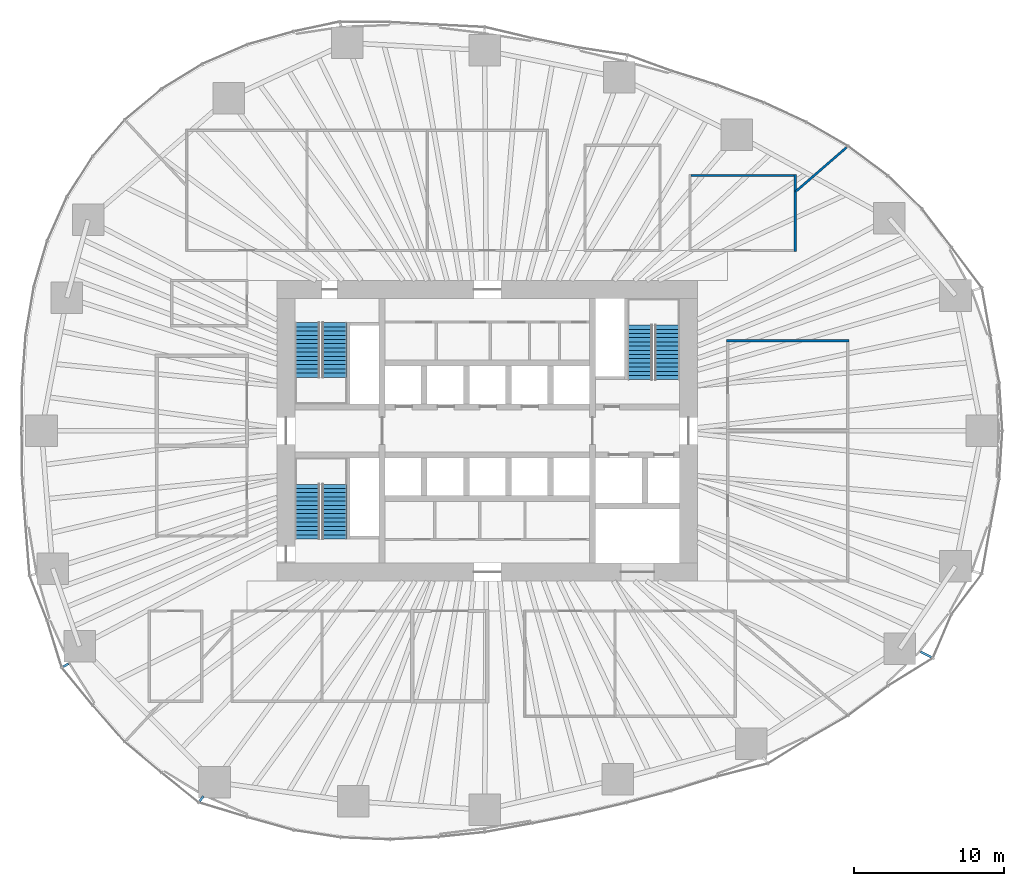
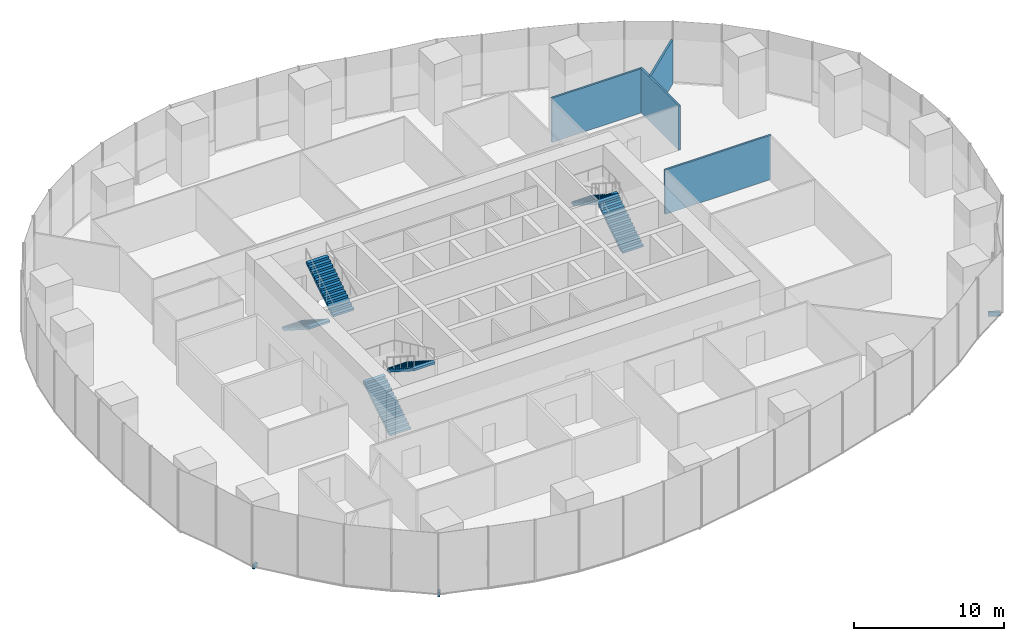
# One storey, part 12 of 20: 6 stair flights, 4 walls, 3 discrete accessories, 3 elements without a shape of their own.
"""IFC4 building model written with IfcOpenShell, lengths in metres."""

from ifc_helpers import new_model, si_unit, direction, frame, frame_2d, origin, origin_2d, place, context, subcontext, project, spatial, polyline, rectangle, outline, extrude, material, layer, layer_set, type_object, element, aggregate, save


model = new_model("IFC4")

# Units and contexts
model_context = context("Model", 3, precision=1e-05, world=origin(), true_north=direction((0.0, 1.0)))
body_context = subcontext(model_context, "Body", "Model", "MODEL_VIEW")
ifc_project = project(units=[si_unit("LENGTHUNIT", "METRE"), si_unit("AREAUNIT", "SQUARE_METRE"), si_unit("VOLUMEUNIT", "CUBIC_METRE"), si_unit("PLANEANGLEUNIT", "RADIAN"), si_unit("MASSUNIT", "GRAM", prefix="KILO")], contexts=[model_context])

# Site, building, storey
site_placement = place(None, origin())
site = spatial("IfcSite", under=ifc_project, at=site_placement, CompositionType="ELEMENT")
building_placement = place(site_placement, origin())
building = spatial("IfcBuilding", under=site, at=building_placement, Name="Ghaith Harvest Tower", CompositionType="ELEMENT")
storey_placement = place(building_placement, frame((0.0, 0.0, 30.0)))
storey = spatial("IfcBuildingStorey", under=building, at=storey_placement, Name="L06", CompositionType="ELEMENT", Elevation=30.0)

# Walls
ifc_material_1 = material(Name="Gypsum board on steel studs", Category="steel")
ifc_layer = layer(ifc_material_1, 0.14990234375)
ifc_layer_set = layer_set([ifc_layer], Name="PARTITION 150")
wall_type = type_object("IfcWallType", Name="PARTITION 150", PredefinedType="PARTITIONING", material=ifc_layer_set)
wall_1_placement = place(storey_placement, frame((15.925048828125, 6.0, 0.0), z_axis=(0.0, 0.0, 1.0), x_axis=(1.0, 0.0, 0.0)))
element("IfcWall", 1, at=wall_1_placement, inside=storey, type_object=wall_type, Name="Partition L06 row E3 cross wall 3", PredefinedType="PARTITIONING", context=body_context, shape_type="SweptSolid", body=[
    extrude(rectangle(XDim=8.14990234375, YDim=0.14990234375, at=frame_2d((4.074951171875, 0.0))), origin(), (0.0, 0.0, 1.0), 3.60009765625),
])
wall_2_placement = place(storey_placement, frame((20.5, 11.925048828125, 0.0), z_axis=(0.0, 0.0, 1.0), x_axis=(0.0, 1.0, 0.0)))
element("IfcWall", 2, at=wall_2_placement, inside=storey, type_object=wall_type, Name="Partition L06 row N7 cross wall 2", PredefinedType="PARTITIONING", context=body_context, shape_type="SweptSolid", body=[
    extrude(rectangle(XDim=5.14990234375, YDim=0.14990234375, at=frame_2d((2.574951171875, 0.0))), origin(), (0.0, 0.0, 1.0), 3.60009765625),
])
wall_3_placement = place(storey_placement, frame((13.574951171875, 17.0, 0.0), z_axis=(0.0, 0.0, 1.0), x_axis=(1.0, 0.0, 0.0)))
element("IfcWall", 3, at=wall_3_placement, inside=storey, type_object=wall_type, Name="Partition L06-14", PredefinedType="PARTITIONING", context=body_context, shape_type="SweptSolid", body=[
    extrude(rectangle(XDim=6.85009765625, YDim=0.14990234375, at=frame_2d((3.425048828125, 0.0))), origin(), (0.0, 0.0, 1.0), 3.60009765625),
])
wall_4_placement = place(storey_placement, frame((20.52001953125, 15.92041015625, 0.0), z_axis=(0.0, 0.0, 1.0), x_axis=(0.75543578361, 0.655222692557, 0.0)))
element("IfcWall", 4, at=wall_4_placement, inside=storey, type_object=wall_type, Name="Partition L06 zone division", PredefinedType="PARTITIONING", context=body_context, shape_type="SweptSolid", body=[
    extrude(rectangle(XDim=4.485107421875, YDim=0.14990234375, at=frame_2d((2.24267578125, 0.0))), origin(), (0.0, 0.0, 1.0), 3.60009765625),
])

# Stair, stair flights
ifc_material_2 = material(Name="Concrete C40/50, precast", Category="concrete")
stair_type = type_object("IfcStairType", Name="CORE STAIR 28R", PredefinedType="HALF_TURN_STAIR", material=ifc_material_2)
stair_1_placement = place(storey_placement, origin())
stair_1 = element("IfcStair", 5, at=stair_1_placement, inside=storey, type_object=stair_type, Name="Stair ST1 L06", PredefinedType="HALF_TURN_STAIR")
ifc_material_3 = material(Name="Concrete C40/50, precast", Category="concrete")
stair_flight_type = type_object("IfcStairFlightType", Name="CORE FLIGHT 14R 1600", PredefinedType="STRAIGHT", material=ifc_material_3)
stair_flight_1_placement = place(storey_placement, frame((-12.0, 7.199951171875, 0.0), z_axis=(0.0, 0.0, 1.0), x_axis=(0.0, -1.0, 0.0)))
stair_flight_1 = element("IfcStairFlight", 6, at=stair_flight_1_placement, type_object=stair_flight_type, Name="ST1 flight 1", NumberOfRisers=14, NumberOfTreads=13, PredefinedType="STRAIGHT", RiserHeight=0.178571429, TreadLength=0.28, context=body_context, shape_type="SweptSolid", body=[
    extrude(outline(polyline([(0.0, 0.0), (0.0, 0.178466796875), (0.280029296875, 0.178466796875), (0.280029296875, 0.357177734375), (0.56005859375, 0.357177734375), (0.56005859375, 0.53564453125), (0.840087890625, 0.53564453125), (0.840087890625, 0.71435546875), (1.1201171875, 0.71435546875), (1.1201171875, 0.892822265625), (1.39990234375, 0.892822265625), (1.39990234375, 1.071533203125), (1.679931640625, 1.071533203125), (1.679931640625, 1.25), (1.9599609375, 1.25), (1.9599609375, 1.428466796875), (2.239990234375, 1.428466796875), (2.239990234375, 1.607177734375), (2.52001953125, 1.607177734375), (2.52001953125, 1.78564453125), (2.800048828125, 1.78564453125), (2.800048828125, 1.96435546875), (3.080078125, 1.96435546875), (3.080078125, 2.142822265625), (3.360107421875, 2.142822265625), (3.360107421875, 2.321533203125), (3.639892578125, 2.321533203125), (3.639892578125, 2.5), (3.639892578125, 2.1435546875), (0.27880859375, 0.0), (0.0, 0.0)])), frame((0.0, 0.800048828125, 0.0), z_axis=(0.0, -1.0, 0.0), x_axis=(1.0, 0.0, 0.0)), (0.0, 0.0, 1.0), 1.60009765625),
])
stair_flight_2_placement = place(storey_placement, frame((-10.14990234375, 3.56005859375, 2.5), z_axis=(0.0, 0.0, 1.0), x_axis=(0.0, 1.0, 0.0)))
stair_flight_2 = element("IfcStairFlight", 7, at=stair_flight_2_placement, type_object=stair_flight_type, Name="ST1 flight 2", NumberOfRisers=14, NumberOfTreads=13, PredefinedType="STRAIGHT", RiserHeight=0.178571429, TreadLength=0.28, context=body_context, shape_type="SweptSolid", body=[
    extrude(outline(polyline([(0.0, 0.0), (0.0, 0.178466796875), (0.280029296875, 0.178466796875), (0.280029296875, 0.357177734375), (0.56005859375, 0.357177734375), (0.56005859375, 0.53564453125), (0.840087890625, 0.53564453125), (0.840087890625, 0.71435546875), (1.1201171875, 0.71435546875), (1.1201171875, 0.892822265625), (1.39990234375, 0.892822265625), (1.39990234375, 1.071533203125), (1.679931640625, 1.071533203125), (1.679931640625, 1.25), (1.9599609375, 1.25), (1.9599609375, 1.428466796875), (2.239990234375, 1.428466796875), (2.239990234375, 1.607177734375), (2.52001953125, 1.607177734375), (2.52001953125, 1.78564453125), (2.800048828125, 1.78564453125), (2.800048828125, 1.96435546875), (3.080078125, 1.96435546875), (3.080078125, 2.142822265625), (3.360107421875, 2.142822265625), (3.360107421875, 2.321533203125), (3.639892578125, 2.321533203125), (3.639892578125, 2.5), (3.639892578125, 2.1435546875), (0.27880859375, 0.0), (0.0, 0.0)])), frame((0.0, 0.800048828125, 0.0), z_axis=(0.0, -1.0, 0.0), x_axis=(1.0, 0.0, 0.0)), (0.0, 0.0, 1.0), 1.60009765625),
])
aggregate(stair_1, [stair_flight_1, stair_flight_2])

stair_2_placement = place(storey_placement, origin())
stair_2 = element("IfcStair", 8, at=stair_2_placement, inside=storey, type_object=stair_type, Name="Stair ST3 L06", PredefinedType="HALF_TURN_STAIR")
stair_flight_3_placement = place(storey_placement, frame((-12.0, -7.199951171875, 0.0), z_axis=(0.0, 0.0, 1.0), x_axis=(0.0, 1.0, 0.0)))
stair_flight_3 = element("IfcStairFlight", 9, at=stair_flight_3_placement, type_object=stair_flight_type, Name="ST3 flight 1", NumberOfRisers=14, NumberOfTreads=13, PredefinedType="STRAIGHT", RiserHeight=0.178571429, TreadLength=0.28, context=body_context, shape_type="SweptSolid", body=[
    extrude(outline(polyline([(0.0, 0.0), (0.0, 0.178466796875), (0.280029296875, 0.178466796875), (0.280029296875, 0.357177734375), (0.56005859375, 0.357177734375), (0.56005859375, 0.53564453125), (0.840087890625, 0.53564453125), (0.840087890625, 0.71435546875), (1.1201171875, 0.71435546875), (1.1201171875, 0.892822265625), (1.39990234375, 0.892822265625), (1.39990234375, 1.071533203125), (1.679931640625, 1.071533203125), (1.679931640625, 1.25), (1.9599609375, 1.25), (1.9599609375, 1.428466796875), (2.239990234375, 1.428466796875), (2.239990234375, 1.607177734375), (2.52001953125, 1.607177734375), (2.52001953125, 1.78564453125), (2.800048828125, 1.78564453125), (2.800048828125, 1.96435546875), (3.080078125, 1.96435546875), (3.080078125, 2.142822265625), (3.360107421875, 2.142822265625), (3.360107421875, 2.321533203125), (3.639892578125, 2.321533203125), (3.639892578125, 2.5), (3.639892578125, 2.1435546875), (0.27880859375, 0.0), (0.0, 0.0)])), frame((0.0, 0.800048828125, 0.0), z_axis=(0.0, -1.0, 0.0), x_axis=(1.0, 0.0, 0.0)), (0.0, 0.0, 1.0), 1.60009765625),
])
stair_flight_4_placement = place(storey_placement, frame((-10.14990234375, -3.56005859375, 2.5), z_axis=(0.0, 0.0, 1.0), x_axis=(0.0, -1.0, 0.0)))
stair_flight_4 = element("IfcStairFlight", 10, at=stair_flight_4_placement, type_object=stair_flight_type, Name="ST3 flight 2", NumberOfRisers=14, NumberOfTreads=13, PredefinedType="STRAIGHT", RiserHeight=0.178571429, TreadLength=0.28, context=body_context, shape_type="SweptSolid", body=[
    extrude(outline(polyline([(0.0, 0.0), (0.0, 0.178466796875), (0.280029296875, 0.178466796875), (0.280029296875, 0.357177734375), (0.56005859375, 0.357177734375), (0.56005859375, 0.53564453125), (0.840087890625, 0.53564453125), (0.840087890625, 0.71435546875), (1.1201171875, 0.71435546875), (1.1201171875, 0.892822265625), (1.39990234375, 0.892822265625), (1.39990234375, 1.071533203125), (1.679931640625, 1.071533203125), (1.679931640625, 1.25), (1.9599609375, 1.25), (1.9599609375, 1.428466796875), (2.239990234375, 1.428466796875), (2.239990234375, 1.607177734375), (2.52001953125, 1.607177734375), (2.52001953125, 1.78564453125), (2.800048828125, 1.78564453125), (2.800048828125, 1.96435546875), (3.080078125, 1.96435546875), (3.080078125, 2.142822265625), (3.360107421875, 2.142822265625), (3.360107421875, 2.321533203125), (3.639892578125, 2.321533203125), (3.639892578125, 2.5), (3.639892578125, 2.1435546875), (0.27880859375, 0.0), (0.0, 0.0)])), frame((0.0, 0.800048828125, 0.0), z_axis=(0.0, -1.0, 0.0), x_axis=(1.0, 0.0, 0.0)), (0.0, 0.0, 1.0), 1.60009765625),
])
aggregate(stair_2, [stair_flight_3, stair_flight_4])

stair_3_placement = place(storey_placement, origin())
stair_3 = element("IfcStair", 11, at=stair_3_placement, inside=storey, type_object=stair_type, Name="Stair ST2 L06", PredefinedType="HALF_TURN_STAIR")
stair_flight_5_placement = place(storey_placement, frame((12.0, 3.39990234375, 0.0), z_axis=(0.0, 0.0, 1.0), x_axis=(0.0, 1.0, 0.0)))
stair_flight_5 = element("IfcStairFlight", 12, at=stair_flight_5_placement, type_object=stair_flight_type, Name="ST2 flight 1", NumberOfRisers=14, NumberOfTreads=13, PredefinedType="STRAIGHT", RiserHeight=0.178571429, TreadLength=0.28, context=body_context, shape_type="SweptSolid", body=[
    extrude(outline(polyline([(0.0, 0.0), (0.0, 0.178466796875), (0.280029296875, 0.178466796875), (0.280029296875, 0.357177734375), (0.56005859375, 0.357177734375), (0.56005859375, 0.53564453125), (0.840087890625, 0.53564453125), (0.840087890625, 0.71435546875), (1.1201171875, 0.71435546875), (1.1201171875, 0.892822265625), (1.39990234375, 0.892822265625), (1.39990234375, 1.071533203125), (1.679931640625, 1.071533203125), (1.679931640625, 1.25), (1.9599609375, 1.25), (1.9599609375, 1.428466796875), (2.239990234375, 1.428466796875), (2.239990234375, 1.607177734375), (2.52001953125, 1.607177734375), (2.52001953125, 1.78564453125), (2.800048828125, 1.78564453125), (2.800048828125, 1.96435546875), (3.080078125, 1.96435546875), (3.080078125, 2.142822265625), (3.360107421875, 2.142822265625), (3.360107421875, 2.321533203125), (3.639892578125, 2.321533203125), (3.639892578125, 2.5), (3.639892578125, 2.1435546875), (0.27880859375, 0.0), (0.0, 0.0)])), frame((0.0, 0.800048828125, 0.0), z_axis=(0.0, -1.0, 0.0), x_axis=(1.0, 0.0, 0.0)), (0.0, 0.0, 1.0), 1.60009765625),
])
stair_flight_6_placement = place(storey_placement, frame((10.14990234375, 7.0400390625, 2.5), z_axis=(0.0, 0.0, 1.0), x_axis=(0.0, -1.0, 0.0)))
stair_flight_6 = element("IfcStairFlight", 13, at=stair_flight_6_placement, type_object=stair_flight_type, Name="ST2 flight 2", NumberOfRisers=14, NumberOfTreads=13, PredefinedType="STRAIGHT", RiserHeight=0.178571429, TreadLength=0.28, context=body_context, shape_type="SweptSolid", body=[
    extrude(outline(polyline([(0.0, 0.0), (0.0, 0.178466796875), (0.280029296875, 0.178466796875), (0.280029296875, 0.357177734375), (0.56005859375, 0.357177734375), (0.56005859375, 0.53564453125), (0.840087890625, 0.53564453125), (0.840087890625, 0.71435546875), (1.1201171875, 0.71435546875), (1.1201171875, 0.892822265625), (1.39990234375, 0.892822265625), (1.39990234375, 1.071533203125), (1.679931640625, 1.071533203125), (1.679931640625, 1.25), (1.9599609375, 1.25), (1.9599609375, 1.428466796875), (2.239990234375, 1.428466796875), (2.239990234375, 1.607177734375), (2.52001953125, 1.607177734375), (2.52001953125, 1.78564453125), (2.800048828125, 1.78564453125), (2.800048828125, 1.96435546875), (3.080078125, 1.96435546875), (3.080078125, 2.142822265625), (3.360107421875, 2.142822265625), (3.360107421875, 2.321533203125), (3.639892578125, 2.321533203125), (3.639892578125, 2.5), (3.639892578125, 2.1435546875), (0.27880859375, 0.0), (0.0, 0.0)])), frame((0.0, 0.800048828125, 0.0), z_axis=(0.0, -1.0, 0.0), x_axis=(1.0, 0.0, 0.0)), (0.0, 0.0, 1.0), 1.60009765625),
])
aggregate(stair_3, [stair_flight_5, stair_flight_6])

# Discrete accessories
ifc_material_4 = material(Name="Stainless steel grade 1.4401", Category="steel")
discrete_accessory_type_1 = type_object("IfcDiscreteAccessoryType", Name="CURTAIN WALL BRACKET 415", PredefinedType="BRACKET", material=ifc_material_4)
discrete_accessory_1_placement = place(storey_placement, frame((-28.05859375, -15.60546875, -0.25), z_axis=(0.0, 0.0, 1.0), x_axis=(-0.873926916099, -0.486057347767, 0.0)))
element("IfcDiscreteAccessory", 14, at=discrete_accessory_1_placement, inside=storey, type_object=discrete_accessory_type_1, Name="CW-F bracket 3 bay 12 L06", PredefinedType="BRACKET", context=body_context, shape_type="SweptSolid", body=[
    extrude(rectangle(XDim=0.4150390625, YDim=0.14990234375, at=origin_2d()), origin(), (0.0, 0.0, 1.0), 0.35009765625),
])
ifc_material_5 = material(Name="Stainless steel grade 1.4401", Category="steel")
discrete_accessory_type_2 = type_object("IfcDiscreteAccessoryType", Name="CURTAIN WALL BRACKET 425", PredefinedType="BRACKET", material=ifc_material_5)
discrete_accessory_2_placement = place(storey_placement, frame((-19.02099609375, -24.491455078125, -0.25), z_axis=(0.0, 0.0, 1.0), x_axis=(-0.613377713774, -0.789789706343, 0.0)))
element("IfcDiscreteAccessory", 15, at=discrete_accessory_2_placement, inside=storey, type_object=discrete_accessory_type_2, Name="CW-F bracket 1 bay 14 L06", PredefinedType="BRACKET", context=body_context, shape_type="SweptSolid", body=[
    extrude(rectangle(XDim=0.425048828125, YDim=0.14990234375, at=origin_2d()), origin(), (0.0, 0.0, 1.0), 0.35009765625),
])
ifc_material_6 = material(Name="Stainless steel grade 1.4401", Category="steel")
discrete_accessory_type_3 = type_object("IfcDiscreteAccessoryType", Name="CURTAIN WALL BRACKET 825", PredefinedType="BRACKET", material=ifc_material_6)
discrete_accessory_3_placement = place(storey_placement, frame((29.203125, -14.89404296875, -0.25), z_axis=(0.0, 0.0, 1.0), x_axis=(0.890830752177, -0.454335306767, 0.0)))
element("IfcDiscreteAccessory", 16, at=discrete_accessory_3_placement, inside=storey, type_object=discrete_accessory_type_3, Name="CW-F bracket 2 bay 19 L06", PredefinedType="BRACKET", context=body_context, shape_type="SweptSolid", body=[
    extrude(rectangle(XDim=0.824951171875, YDim=0.14990234375, at=origin_2d()), origin(), (0.0, 0.0, 1.0), 0.35009765625),
])

save(model, "model.ifc")
